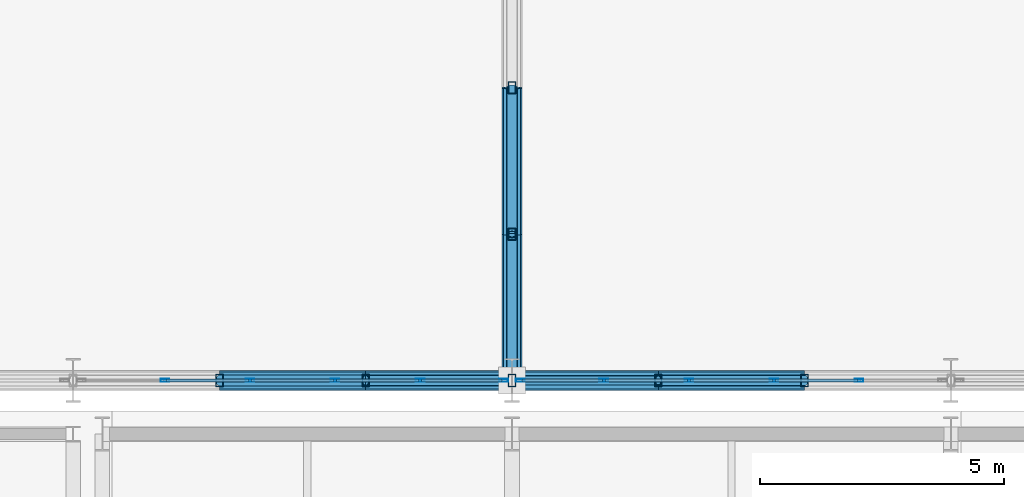
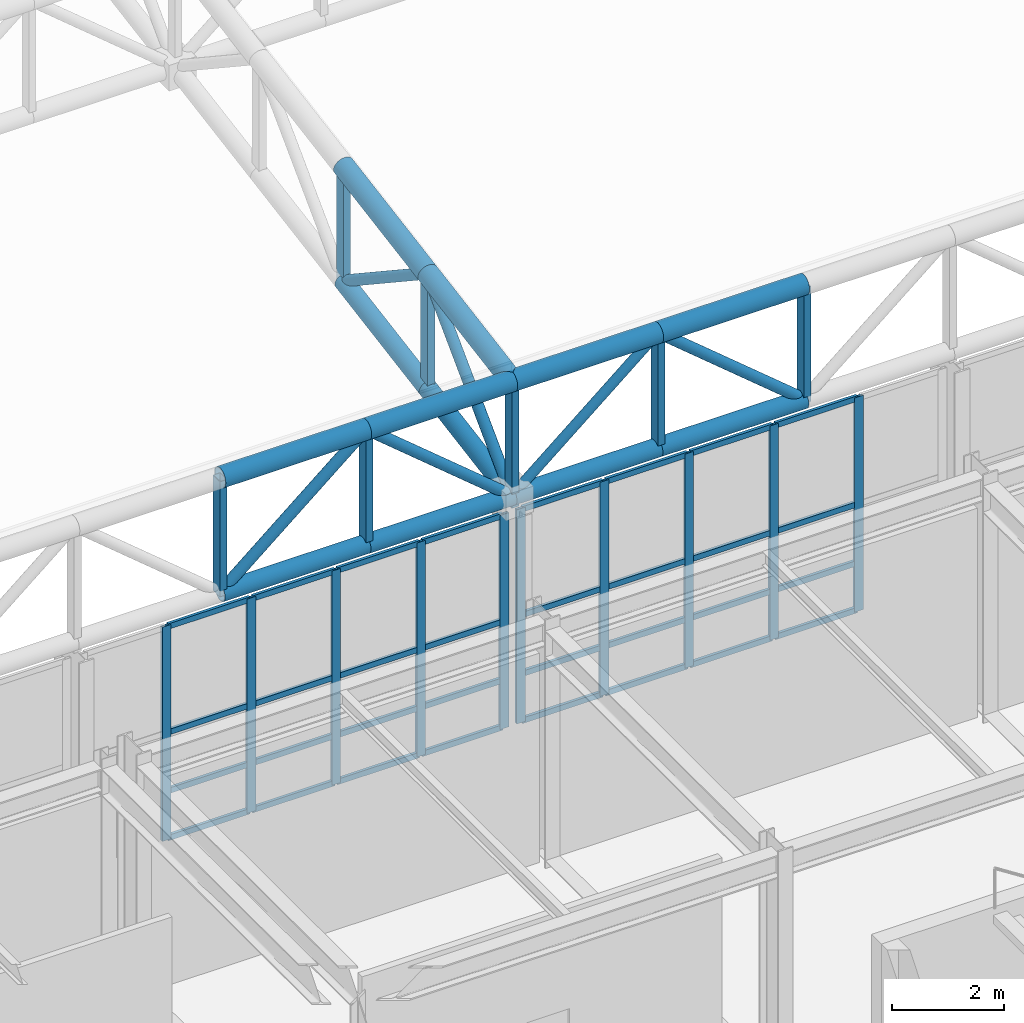
# One storey, part 63 of 239: 67 members, 2 elements without a shape of their own.
"""IFC4 building model written with IfcOpenShell, lengths in metres."""

from ifc_helpers import new_model, si_unit, direction, frame, origin, origin_2d, place, context, subcontext, project, spatial, hollow_rectangle, hollow_circle, extrude, material, material_profile, profile_set, type_object, element, aggregate, save


model = new_model("IFC4")

# Units and contexts
model_context = context("Model", 3, precision=1e-05, world=origin(), true_north=direction((0.0, 1.0)))
body_context = subcontext(model_context, "Body", "Model", "MODEL_VIEW")
ifc_project = project(units=[si_unit("LENGTHUNIT", "METRE"), si_unit("AREAUNIT", "SQUARE_METRE"), si_unit("VOLUMEUNIT", "CUBIC_METRE"), si_unit("PLANEANGLEUNIT", "RADIAN"), si_unit("MASSUNIT", "GRAM", prefix="KILO")], contexts=[model_context])

# Site, building, storey
site_placement = place(None, origin())
site = spatial("IfcSite", under=ifc_project, at=site_placement, CompositionType="ELEMENT")
building_placement = place(site_placement, origin())
building = spatial("IfcBuilding", under=site, at=building_placement, Name="Kaldris Quays Convention Centre", CompositionType="ELEMENT")
storey_placement = place(building_placement, frame((0.0, 0.0, 11.39990234375)))
storey = spatial("IfcBuildingStorey", under=building, at=storey_placement, Name="L02", CompositionType="ELEMENT", Elevation=11.39990234375)

# Curtain wall, members
ifc_material_1 = material(Name="Anodized aluminium AW-6060 and triple glazing", Category="aluminium")
curtain_wall_type = type_object("IfcCurtainWallType", Name="UNITISED CURTAIN WALL CW03", PredefinedType="NOTDEFINED", material=ifc_material_1)
curtain_wall_1_placement = place(storey_placement, origin())
curtain_wall_1 = element("IfcCurtainWall", 1, at=curtain_wall_1_placement, inside=storey, type_object=curtain_wall_type, Name="L02 Unitised Curtain Wall CW03 241", PredefinedType="NOTDEFINED")
ifc_material_2 = material(Name="Anodized aluminium AW-6060", Category="aluminium")
ifc_material_profile_1 = material_profile(ifc_material_2, hollow_rectangle(XDim=0.06005859375, YDim=0.179931640625, WallThickness=0.0048828125, at=origin_2d()), Name="RHS 180x60x5")
ifc_profile_set_1 = profile_set([ifc_material_profile_1], Name="Anodized aluminium AW-6060")
member_type_1 = type_object("IfcMemberType", Name="CURTAIN MULLION CWM2", PredefinedType="MULLION", material=ifc_profile_set_1)
member_1_placement = place(storey_placement, frame((84.884033203125, 56.0, 2.195068359375), z_axis=(0.0, 0.0, 1.0), x_axis=(0.0, 1.0, 0.0)))
member_1 = element("IfcMember", 2, at=member_1_placement, type_object=member_type_1, Name="CW03 mullion 2", PredefinedType="MULLION", context=body_context, shape_type="SweptSolid", body=[
    extrude(hollow_rectangle(XDim=0.06005859375, YDim=0.179931640625, WallThickness=0.0048828125, at=origin_2d()), origin(), (0.0, 0.0, 1.0), 4.655029296875),
])
member_2_placement = place(storey_placement, frame((86.6279296875, 56.0, 2.195068359375), z_axis=(0.0, 0.0, 1.0), x_axis=(0.0, 1.0, 0.0)))
member_2 = element("IfcMember", 3, at=member_2_placement, type_object=member_type_1, Name="CW03 mullion 3", PredefinedType="MULLION", context=body_context, shape_type="SweptSolid", body=[
    extrude(hollow_rectangle(XDim=0.06005859375, YDim=0.179931640625, WallThickness=0.0048828125, at=origin_2d()), origin(), (0.0, 0.0, 1.0), 4.655029296875),
])
member_3_placement = place(storey_placement, frame((88.3720703125, 56.0, 2.195068359375), z_axis=(0.0, 0.0, 1.0), x_axis=(0.0, 1.0, 0.0)))
member_3 = element("IfcMember", 4, at=member_3_placement, type_object=member_type_1, Name="CW03 mullion 4", PredefinedType="MULLION", context=body_context, shape_type="SweptSolid", body=[
    extrude(hollow_rectangle(XDim=0.06005859375, YDim=0.179931640625, WallThickness=0.0048828125, at=origin_2d()), origin(), (0.0, 0.0, 1.0), 4.655029296875),
])
member_4_placement = place(storey_placement, frame((90.115966796875, 56.0, 2.195068359375), z_axis=(0.0, 0.0, 1.0), x_axis=(0.0, 1.0, 0.0)))
member_4 = element("IfcMember", 5, at=member_4_placement, type_object=member_type_1, Name="CW03 mullion 5", PredefinedType="MULLION", context=body_context, shape_type="SweptSolid", body=[
    extrude(hollow_rectangle(XDim=0.06005859375, YDim=0.179931640625, WallThickness=0.0048828125, at=origin_2d()), origin(), (0.0, 0.0, 1.0), 4.655029296875),
])
member_5_placement = place(storey_placement, frame((91.830078125, 56.0, 2.195068359375), z_axis=(0.0, 0.0, 1.0), x_axis=(0.0, 1.0, 0.0)))
member_5 = element("IfcMember", 6, at=member_5_placement, type_object=member_type_1, Name="CW03 mullion 6", PredefinedType="MULLION", context=body_context, shape_type="SweptSolid", body=[
    extrude(hollow_rectangle(XDim=0.06005859375, YDim=0.179931640625, WallThickness=0.0048828125, at=origin_2d()), origin(), (0.0, 0.0, 1.0), 4.655029296875),
])

curtain_wall_2_placement = place(storey_placement, origin())
curtain_wall_2 = element("IfcCurtainWall", 7, at=curtain_wall_2_placement, inside=storey, type_object=curtain_wall_type, Name="L02 Unitised Curtain Wall CW03 243", PredefinedType="NOTDEFINED")
member_6_placement = place(storey_placement, frame((92.169921875, 56.0, 2.195068359375), z_axis=(0.0, 0.0, 1.0), x_axis=(0.0, 1.0, 0.0)))
member_6 = element("IfcMember", 8, at=member_6_placement, type_object=member_type_1, Name="CW03 mullion 1", PredefinedType="MULLION", context=body_context, shape_type="SweptSolid", body=[
    extrude(hollow_rectangle(XDim=0.06005859375, YDim=0.179931640625, WallThickness=0.0048828125, at=origin_2d()), origin(), (0.0, 0.0, 1.0), 4.655029296875),
])
member_7_placement = place(storey_placement, frame((93.884033203125, 56.0, 2.195068359375), z_axis=(0.0, 0.0, 1.0), x_axis=(0.0, 1.0, 0.0)))
member_7 = element("IfcMember", 9, at=member_7_placement, type_object=member_type_1, Name="CW03 mullion 2", PredefinedType="MULLION", context=body_context, shape_type="SweptSolid", body=[
    extrude(hollow_rectangle(XDim=0.06005859375, YDim=0.179931640625, WallThickness=0.0048828125, at=origin_2d()), origin(), (0.0, 0.0, 1.0), 4.655029296875),
])
member_8_placement = place(storey_placement, frame((95.6279296875, 56.0, 2.195068359375), z_axis=(0.0, 0.0, 1.0), x_axis=(0.0, 1.0, 0.0)))
member_8 = element("IfcMember", 10, at=member_8_placement, type_object=member_type_1, Name="CW03 mullion 3", PredefinedType="MULLION", context=body_context, shape_type="SweptSolid", body=[
    extrude(hollow_rectangle(XDim=0.06005859375, YDim=0.179931640625, WallThickness=0.0048828125, at=origin_2d()), origin(), (0.0, 0.0, 1.0), 4.655029296875),
])
member_9_placement = place(storey_placement, frame((97.3720703125, 56.0, 2.195068359375), z_axis=(0.0, 0.0, 1.0), x_axis=(0.0, 1.0, 0.0)))
member_9 = element("IfcMember", 11, at=member_9_placement, type_object=member_type_1, Name="CW03 mullion 4", PredefinedType="MULLION", context=body_context, shape_type="SweptSolid", body=[
    extrude(hollow_rectangle(XDim=0.06005859375, YDim=0.179931640625, WallThickness=0.0048828125, at=origin_2d()), origin(), (0.0, 0.0, 1.0), 4.655029296875),
])
member_10_placement = place(storey_placement, frame((99.115966796875, 56.0, 2.195068359375), z_axis=(0.0, 0.0, 1.0), x_axis=(0.0, 1.0, 0.0)))
member_10 = element("IfcMember", 12, at=member_10_placement, type_object=member_type_1, Name="CW03 mullion 5", PredefinedType="MULLION", context=body_context, shape_type="SweptSolid", body=[
    extrude(hollow_rectangle(XDim=0.06005859375, YDim=0.179931640625, WallThickness=0.0048828125, at=origin_2d()), origin(), (0.0, 0.0, 1.0), 4.655029296875),
])

# Member
ifc_material_profile_2 = material_profile(ifc_material_2, hollow_rectangle(XDim=0.06005859375, YDim=0.1201171875, WallThickness=0.00390625, at=origin_2d()), Name="RHS 120x60x4")
ifc_profile_set_2 = profile_set([ifc_material_profile_2], Name="Anodized aluminium AW-6060")
member_type_2 = type_object("IfcMemberType", Name="CURTAIN TRANSOM CWT1", PredefinedType="USERDEFINED", material=ifc_profile_set_2)
member_11_placement = place(storey_placement, frame((84.9140625, 56.0, 2.22509765625), z_axis=(1.0, 0.0, 0.0), x_axis=(0.0, 1.0, 0.0)))
member_11 = element("IfcMember", 13, at=member_11_placement, type_object=member_type_2, Name="CW03 transom 2.1", ObjectType="TRANSOM", PredefinedType="USERDEFINED", context=body_context, shape_type="SweptSolid", body=[
    extrude(hollow_rectangle(XDim=0.06005859375, YDim=0.1201171875, WallThickness=0.00390625, at=origin_2d()), origin(), (0.0, 0.0, 1.0), 1.683837890625),
])

member_12_placement = place(storey_placement, frame((84.9140625, 56.0, 3.2451171875), z_axis=(1.0, 0.0, 0.0), x_axis=(0.0, 1.0, 0.0)))
member_12 = element("IfcMember", 14, at=member_12_placement, type_object=member_type_2, Name="CW03 transom 2.2", ObjectType="TRANSOM", PredefinedType="USERDEFINED", context=body_context, shape_type="SweptSolid", body=[
    extrude(hollow_rectangle(XDim=0.06005859375, YDim=0.1201171875, WallThickness=0.00390625, at=origin_2d()), origin(), (0.0, 0.0, 1.0), 1.683837890625),
])

member_13_placement = place(storey_placement, frame((84.9140625, 56.0, 4.522216796875), z_axis=(1.0, 0.0, 0.0), x_axis=(0.0, 1.0, 0.0)))
member_13 = element("IfcMember", 15, at=member_13_placement, type_object=member_type_2, Name="CW03 transom 2.3", ObjectType="TRANSOM", PredefinedType="USERDEFINED", context=body_context, shape_type="SweptSolid", body=[
    extrude(hollow_rectangle(XDim=0.06005859375, YDim=0.1201171875, WallThickness=0.00390625, at=origin_2d()), origin(), (0.0, 0.0, 1.0), 1.683837890625),
])

member_14_placement = place(storey_placement, frame((84.9140625, 56.0, 6.820068359375), z_axis=(1.0, 0.0, 0.0), x_axis=(0.0, 1.0, 0.0)))
member_14 = element("IfcMember", 16, at=member_14_placement, type_object=member_type_2, Name="CW03 transom 2.4", ObjectType="TRANSOM", PredefinedType="USERDEFINED", context=body_context, shape_type="SweptSolid", body=[
    extrude(hollow_rectangle(XDim=0.06005859375, YDim=0.1201171875, WallThickness=0.00390625, at=origin_2d()), origin(), (0.0, 0.0, 1.0), 1.683837890625),
])

member_15_placement = place(storey_placement, frame((86.657958984375, 56.0, 2.22509765625), z_axis=(1.0, 0.0, 0.0), x_axis=(0.0, 1.0, 0.0)))
member_15 = element("IfcMember", 17, at=member_15_placement, type_object=member_type_2, Name="CW03 transom 3.1", ObjectType="TRANSOM", PredefinedType="USERDEFINED", context=body_context, shape_type="SweptSolid", body=[
    extrude(hollow_rectangle(XDim=0.06005859375, YDim=0.1201171875, WallThickness=0.00390625, at=origin_2d()), origin(), (0.0, 0.0, 1.0), 1.68408203125),
])

member_16_placement = place(storey_placement, frame((86.657958984375, 56.0, 3.2451171875), z_axis=(1.0, 0.0, 0.0), x_axis=(0.0, 1.0, 0.0)))
member_16 = element("IfcMember", 18, at=member_16_placement, type_object=member_type_2, Name="CW03 transom 3.2", ObjectType="TRANSOM", PredefinedType="USERDEFINED", context=body_context, shape_type="SweptSolid", body=[
    extrude(hollow_rectangle(XDim=0.06005859375, YDim=0.1201171875, WallThickness=0.00390625, at=origin_2d()), origin(), (0.0, 0.0, 1.0), 1.68408203125),
])

member_17_placement = place(storey_placement, frame((86.657958984375, 56.0, 4.522216796875), z_axis=(1.0, 0.0, 0.0), x_axis=(0.0, 1.0, 0.0)))
member_17 = element("IfcMember", 19, at=member_17_placement, type_object=member_type_2, Name="CW03 transom 3.3", ObjectType="TRANSOM", PredefinedType="USERDEFINED", context=body_context, shape_type="SweptSolid", body=[
    extrude(hollow_rectangle(XDim=0.06005859375, YDim=0.1201171875, WallThickness=0.00390625, at=origin_2d()), origin(), (0.0, 0.0, 1.0), 1.68408203125),
])

member_18_placement = place(storey_placement, frame((86.657958984375, 56.0, 6.820068359375), z_axis=(1.0, 0.0, 0.0), x_axis=(0.0, 1.0, 0.0)))
member_18 = element("IfcMember", 20, at=member_18_placement, type_object=member_type_2, Name="CW03 transom 3.4", ObjectType="TRANSOM", PredefinedType="USERDEFINED", context=body_context, shape_type="SweptSolid", body=[
    extrude(hollow_rectangle(XDim=0.06005859375, YDim=0.1201171875, WallThickness=0.00390625, at=origin_2d()), origin(), (0.0, 0.0, 1.0), 1.68408203125),
])

member_19_placement = place(storey_placement, frame((88.402099609375, 56.0, 2.22509765625), z_axis=(1.0, 0.0, 0.0), x_axis=(0.0, 1.0, 0.0)))
member_19 = element("IfcMember", 21, at=member_19_placement, type_object=member_type_2, Name="CW03 transom 4.1", ObjectType="TRANSOM", PredefinedType="USERDEFINED", context=body_context, shape_type="SweptSolid", body=[
    extrude(hollow_rectangle(XDim=0.06005859375, YDim=0.1201171875, WallThickness=0.00390625, at=origin_2d()), origin(), (0.0, 0.0, 1.0), 1.683837890625),
])

member_20_placement = place(storey_placement, frame((88.402099609375, 56.0, 3.2451171875), z_axis=(1.0, 0.0, 0.0), x_axis=(0.0, 1.0, 0.0)))
member_20 = element("IfcMember", 22, at=member_20_placement, type_object=member_type_2, Name="CW03 transom 4.2", ObjectType="TRANSOM", PredefinedType="USERDEFINED", context=body_context, shape_type="SweptSolid", body=[
    extrude(hollow_rectangle(XDim=0.06005859375, YDim=0.1201171875, WallThickness=0.00390625, at=origin_2d()), origin(), (0.0, 0.0, 1.0), 1.683837890625),
])

member_21_placement = place(storey_placement, frame((88.402099609375, 56.0, 4.522216796875), z_axis=(1.0, 0.0, 0.0), x_axis=(0.0, 1.0, 0.0)))
member_21 = element("IfcMember", 23, at=member_21_placement, type_object=member_type_2, Name="CW03 transom 4.3", ObjectType="TRANSOM", PredefinedType="USERDEFINED", context=body_context, shape_type="SweptSolid", body=[
    extrude(hollow_rectangle(XDim=0.06005859375, YDim=0.1201171875, WallThickness=0.00390625, at=origin_2d()), origin(), (0.0, 0.0, 1.0), 1.683837890625),
])

member_22_placement = place(storey_placement, frame((88.402099609375, 56.0, 6.820068359375), z_axis=(1.0, 0.0, 0.0), x_axis=(0.0, 1.0, 0.0)))
member_22 = element("IfcMember", 24, at=member_22_placement, type_object=member_type_2, Name="CW03 transom 4.4", ObjectType="TRANSOM", PredefinedType="USERDEFINED", context=body_context, shape_type="SweptSolid", body=[
    extrude(hollow_rectangle(XDim=0.06005859375, YDim=0.1201171875, WallThickness=0.00390625, at=origin_2d()), origin(), (0.0, 0.0, 1.0), 1.683837890625),
])

member_23_placement = place(storey_placement, frame((90.14599609375, 56.0, 2.22509765625), z_axis=(1.0, 0.0, 0.0), x_axis=(0.0, 1.0, 0.0)))
member_23 = element("IfcMember", 25, at=member_23_placement, type_object=member_type_2, Name="CW03 transom 5.1", ObjectType="TRANSOM", PredefinedType="USERDEFINED", context=body_context, shape_type="SweptSolid", body=[
    extrude(hollow_rectangle(XDim=0.06005859375, YDim=0.1201171875, WallThickness=0.00390625, at=origin_2d()), origin(), (0.0, 0.0, 1.0), 1.654052734375),
])

member_24_placement = place(storey_placement, frame((90.14599609375, 56.0, 3.2451171875), z_axis=(1.0, 0.0, 0.0), x_axis=(0.0, 1.0, 0.0)))
member_24 = element("IfcMember", 26, at=member_24_placement, type_object=member_type_2, Name="CW03 transom 5.2", ObjectType="TRANSOM", PredefinedType="USERDEFINED", context=body_context, shape_type="SweptSolid", body=[
    extrude(hollow_rectangle(XDim=0.06005859375, YDim=0.1201171875, WallThickness=0.00390625, at=origin_2d()), origin(), (0.0, 0.0, 1.0), 1.654052734375),
])

member_25_placement = place(storey_placement, frame((90.14599609375, 56.0, 4.522216796875), z_axis=(1.0, 0.0, 0.0), x_axis=(0.0, 1.0, 0.0)))
member_25 = element("IfcMember", 27, at=member_25_placement, type_object=member_type_2, Name="CW03 transom 5.3", ObjectType="TRANSOM", PredefinedType="USERDEFINED", context=body_context, shape_type="SweptSolid", body=[
    extrude(hollow_rectangle(XDim=0.06005859375, YDim=0.1201171875, WallThickness=0.00390625, at=origin_2d()), origin(), (0.0, 0.0, 1.0), 1.654052734375),
])

member_26_placement = place(storey_placement, frame((90.14599609375, 56.0, 6.820068359375), z_axis=(1.0, 0.0, 0.0), x_axis=(0.0, 1.0, 0.0)))
member_26 = element("IfcMember", 28, at=member_26_placement, type_object=member_type_2, Name="CW03 transom 5.4", ObjectType="TRANSOM", PredefinedType="USERDEFINED", context=body_context, shape_type="SweptSolid", body=[
    extrude(hollow_rectangle(XDim=0.06005859375, YDim=0.1201171875, WallThickness=0.00390625, at=origin_2d()), origin(), (0.0, 0.0, 1.0), 1.654052734375),
])

aggregate(curtain_wall_1, [member_1, member_2, member_3, member_4, member_5, member_11, member_12, member_13, member_14, member_15, member_16, member_17, member_18, member_19, member_20, member_21, member_22, member_23, member_24, member_25, member_26])

member_27_placement = place(storey_placement, frame((92.199951171875, 56.0, 2.22509765625), z_axis=(1.0, 0.0, 0.0), x_axis=(0.0, 1.0, 0.0)))
member_27 = element("IfcMember", 29, at=member_27_placement, type_object=member_type_2, Name="CW03 transom 1.1", ObjectType="TRANSOM", PredefinedType="USERDEFINED", context=body_context, shape_type="SweptSolid", body=[
    extrude(hollow_rectangle(XDim=0.06005859375, YDim=0.1201171875, WallThickness=0.00390625, at=origin_2d()), origin(), (0.0, 0.0, 1.0), 1.654052734375),
])

member_28_placement = place(storey_placement, frame((92.199951171875, 56.0, 3.2451171875), z_axis=(1.0, 0.0, 0.0), x_axis=(0.0, 1.0, 0.0)))
member_28 = element("IfcMember", 30, at=member_28_placement, type_object=member_type_2, Name="CW03 transom 1.2", ObjectType="TRANSOM", PredefinedType="USERDEFINED", context=body_context, shape_type="SweptSolid", body=[
    extrude(hollow_rectangle(XDim=0.06005859375, YDim=0.1201171875, WallThickness=0.00390625, at=origin_2d()), origin(), (0.0, 0.0, 1.0), 1.654052734375),
])

member_29_placement = place(storey_placement, frame((92.199951171875, 56.0, 4.522216796875), z_axis=(1.0, 0.0, 0.0), x_axis=(0.0, 1.0, 0.0)))
member_29 = element("IfcMember", 31, at=member_29_placement, type_object=member_type_2, Name="CW03 transom 1.3", ObjectType="TRANSOM", PredefinedType="USERDEFINED", context=body_context, shape_type="SweptSolid", body=[
    extrude(hollow_rectangle(XDim=0.06005859375, YDim=0.1201171875, WallThickness=0.00390625, at=origin_2d()), origin(), (0.0, 0.0, 1.0), 1.654052734375),
])

member_30_placement = place(storey_placement, frame((92.199951171875, 56.0, 6.820068359375), z_axis=(1.0, 0.0, 0.0), x_axis=(0.0, 1.0, 0.0)))
member_30 = element("IfcMember", 32, at=member_30_placement, type_object=member_type_2, Name="CW03 transom 1.4", ObjectType="TRANSOM", PredefinedType="USERDEFINED", context=body_context, shape_type="SweptSolid", body=[
    extrude(hollow_rectangle(XDim=0.06005859375, YDim=0.1201171875, WallThickness=0.00390625, at=origin_2d()), origin(), (0.0, 0.0, 1.0), 1.654052734375),
])

member_31_placement = place(storey_placement, frame((93.9140625, 56.0, 2.22509765625), z_axis=(1.0, 0.0, 0.0), x_axis=(0.0, 1.0, 0.0)))
member_31 = element("IfcMember", 33, at=member_31_placement, type_object=member_type_2, Name="CW03 transom 2.1", ObjectType="TRANSOM", PredefinedType="USERDEFINED", context=body_context, shape_type="SweptSolid", body=[
    extrude(hollow_rectangle(XDim=0.06005859375, YDim=0.1201171875, WallThickness=0.00390625, at=origin_2d()), origin(), (0.0, 0.0, 1.0), 1.683837890625),
])

member_32_placement = place(storey_placement, frame((93.9140625, 56.0, 3.2451171875), z_axis=(1.0, 0.0, 0.0), x_axis=(0.0, 1.0, 0.0)))
member_32 = element("IfcMember", 34, at=member_32_placement, type_object=member_type_2, Name="CW03 transom 2.2", ObjectType="TRANSOM", PredefinedType="USERDEFINED", context=body_context, shape_type="SweptSolid", body=[
    extrude(hollow_rectangle(XDim=0.06005859375, YDim=0.1201171875, WallThickness=0.00390625, at=origin_2d()), origin(), (0.0, 0.0, 1.0), 1.683837890625),
])

member_33_placement = place(storey_placement, frame((93.9140625, 56.0, 4.522216796875), z_axis=(1.0, 0.0, 0.0), x_axis=(0.0, 1.0, 0.0)))
member_33 = element("IfcMember", 35, at=member_33_placement, type_object=member_type_2, Name="CW03 transom 2.3", ObjectType="TRANSOM", PredefinedType="USERDEFINED", context=body_context, shape_type="SweptSolid", body=[
    extrude(hollow_rectangle(XDim=0.06005859375, YDim=0.1201171875, WallThickness=0.00390625, at=origin_2d()), origin(), (0.0, 0.0, 1.0), 1.683837890625),
])

member_34_placement = place(storey_placement, frame((93.9140625, 56.0, 6.820068359375), z_axis=(1.0, 0.0, 0.0), x_axis=(0.0, 1.0, 0.0)))
member_34 = element("IfcMember", 36, at=member_34_placement, type_object=member_type_2, Name="CW03 transom 2.4", ObjectType="TRANSOM", PredefinedType="USERDEFINED", context=body_context, shape_type="SweptSolid", body=[
    extrude(hollow_rectangle(XDim=0.06005859375, YDim=0.1201171875, WallThickness=0.00390625, at=origin_2d()), origin(), (0.0, 0.0, 1.0), 1.683837890625),
])

member_35_placement = place(storey_placement, frame((95.657958984375, 56.0, 2.22509765625), z_axis=(1.0, 0.0, 0.0), x_axis=(0.0, 1.0, 0.0)))
member_35 = element("IfcMember", 37, at=member_35_placement, type_object=member_type_2, Name="CW03 transom 3.1", ObjectType="TRANSOM", PredefinedType="USERDEFINED", context=body_context, shape_type="SweptSolid", body=[
    extrude(hollow_rectangle(XDim=0.06005859375, YDim=0.1201171875, WallThickness=0.00390625, at=origin_2d()), origin(), (0.0, 0.0, 1.0), 1.68408203125),
])

member_36_placement = place(storey_placement, frame((95.657958984375, 56.0, 3.2451171875), z_axis=(1.0, 0.0, 0.0), x_axis=(0.0, 1.0, 0.0)))
member_36 = element("IfcMember", 38, at=member_36_placement, type_object=member_type_2, Name="CW03 transom 3.2", ObjectType="TRANSOM", PredefinedType="USERDEFINED", context=body_context, shape_type="SweptSolid", body=[
    extrude(hollow_rectangle(XDim=0.06005859375, YDim=0.1201171875, WallThickness=0.00390625, at=origin_2d()), origin(), (0.0, 0.0, 1.0), 1.68408203125),
])

member_37_placement = place(storey_placement, frame((95.657958984375, 56.0, 4.522216796875), z_axis=(1.0, 0.0, 0.0), x_axis=(0.0, 1.0, 0.0)))
member_37 = element("IfcMember", 39, at=member_37_placement, type_object=member_type_2, Name="CW03 transom 3.3", ObjectType="TRANSOM", PredefinedType="USERDEFINED", context=body_context, shape_type="SweptSolid", body=[
    extrude(hollow_rectangle(XDim=0.06005859375, YDim=0.1201171875, WallThickness=0.00390625, at=origin_2d()), origin(), (0.0, 0.0, 1.0), 1.68408203125),
])

member_38_placement = place(storey_placement, frame((95.657958984375, 56.0, 6.820068359375), z_axis=(1.0, 0.0, 0.0), x_axis=(0.0, 1.0, 0.0)))
member_38 = element("IfcMember", 40, at=member_38_placement, type_object=member_type_2, Name="CW03 transom 3.4", ObjectType="TRANSOM", PredefinedType="USERDEFINED", context=body_context, shape_type="SweptSolid", body=[
    extrude(hollow_rectangle(XDim=0.06005859375, YDim=0.1201171875, WallThickness=0.00390625, at=origin_2d()), origin(), (0.0, 0.0, 1.0), 1.68408203125),
])

member_39_placement = place(storey_placement, frame((97.402099609375, 56.0, 2.22509765625), z_axis=(1.0, 0.0, 0.0), x_axis=(0.0, 1.0, 0.0)))
member_39 = element("IfcMember", 41, at=member_39_placement, type_object=member_type_2, Name="CW03 transom 4.1", ObjectType="TRANSOM", PredefinedType="USERDEFINED", context=body_context, shape_type="SweptSolid", body=[
    extrude(hollow_rectangle(XDim=0.06005859375, YDim=0.1201171875, WallThickness=0.00390625, at=origin_2d()), origin(), (0.0, 0.0, 1.0), 1.683837890625),
])

member_40_placement = place(storey_placement, frame((97.402099609375, 56.0, 3.2451171875), z_axis=(1.0, 0.0, 0.0), x_axis=(0.0, 1.0, 0.0)))
member_40 = element("IfcMember", 42, at=member_40_placement, type_object=member_type_2, Name="CW03 transom 4.2", ObjectType="TRANSOM", PredefinedType="USERDEFINED", context=body_context, shape_type="SweptSolid", body=[
    extrude(hollow_rectangle(XDim=0.06005859375, YDim=0.1201171875, WallThickness=0.00390625, at=origin_2d()), origin(), (0.0, 0.0, 1.0), 1.683837890625),
])

member_41_placement = place(storey_placement, frame((97.402099609375, 56.0, 4.522216796875), z_axis=(1.0, 0.0, 0.0), x_axis=(0.0, 1.0, 0.0)))
member_41 = element("IfcMember", 43, at=member_41_placement, type_object=member_type_2, Name="CW03 transom 4.3", ObjectType="TRANSOM", PredefinedType="USERDEFINED", context=body_context, shape_type="SweptSolid", body=[
    extrude(hollow_rectangle(XDim=0.06005859375, YDim=0.1201171875, WallThickness=0.00390625, at=origin_2d()), origin(), (0.0, 0.0, 1.0), 1.683837890625),
])

member_42_placement = place(storey_placement, frame((97.402099609375, 56.0, 6.820068359375), z_axis=(1.0, 0.0, 0.0), x_axis=(0.0, 1.0, 0.0)))
member_42 = element("IfcMember", 44, at=member_42_placement, type_object=member_type_2, Name="CW03 transom 4.4", ObjectType="TRANSOM", PredefinedType="USERDEFINED", context=body_context, shape_type="SweptSolid", body=[
    extrude(hollow_rectangle(XDim=0.06005859375, YDim=0.1201171875, WallThickness=0.00390625, at=origin_2d()), origin(), (0.0, 0.0, 1.0), 1.683837890625),
])

aggregate(curtain_wall_2, [member_6, member_7, member_8, member_9, member_10, member_27, member_28, member_29, member_30, member_31, member_32, member_33, member_34, member_35, member_36, member_37, member_38, member_39, member_40, member_41, member_42])

# Members
ifc_material_3 = material(Name="Steel S355J2H", Category="steel")
ifc_material_profile_3 = material_profile(ifc_material_3, hollow_circle(Radius=0.203125, WallThickness=0.01611328125, at=origin_2d()), Name="CHS 406.4x16")
ifc_profile_set_3 = profile_set([ifc_material_profile_3], Name="Steel S355J2H")
member_type_3 = type_object("IfcMemberType", Name="STRUCTURAL MEMBER SC01", PredefinedType="CHORD", material=ifc_profile_set_3)
for number, where, z_axis, x_axis, name in (
    (45, (86.0, 56.0, 9.671875), (1.0, 0.0, 0.0), (0.0, 1.0, 0.0), "SF-V1 Top Chord X 23"),
    (46, (89.0, 56.0, 9.671875), (1.0, 0.0, 0.0), (0.0, 1.0, 0.0), "SF-V1 Top Chord X 24"),
    (47, (92.0, 56.0, 9.671875), (1.0, 0.0, 0.0), (0.0, 1.0, 0.0), "SF-V1 Top Chord X 25"),
    (48, (95.0, 56.0, 9.671875), (1.0, 0.0, 0.0), (0.0, 1.0, 0.0), "SF-V1 Top Chord X 26"),
):
    element("IfcMember", number, at=place(storey_placement, frame(where, z_axis=z_axis, x_axis=x_axis)), inside=storey, type_object=member_type_3, Name=name, PredefinedType="CHORD", context=body_context, shape_type="SweptSolid", body=[
        extrude(hollow_circle(Radius=0.203125, WallThickness=0.01611328125, at=origin_2d()), origin(), (0.0, 0.0, 1.0), 3.0),
    ])
for number, where, z_axis, x_axis, name in (
    (49, (92.0, 56.0, 9.671875), (0.0, 0.985615766076, 0.169001661712), (-1.0, 0.0, 0.0), "SF-V1 Top Chord Y 449"),
    (50, (92.0, 59.0, 10.186279296875), (0.0, 0.98562912375, 0.168923741424), (-1.0, 0.0, 0.0), "SF-V1 Top Chord Y 450"),
):
    element("IfcMember", number, at=place(storey_placement, frame(where, z_axis=z_axis, x_axis=x_axis)), inside=storey, type_object=member_type_3, Name=name, PredefinedType="CHORD", context=body_context, shape_type="SweptSolid", body=[
        extrude(hollow_circle(Radius=0.203125, WallThickness=0.01611328125, at=origin_2d()), origin(), (0.0, 0.0, 1.0), 3.043701171875),
    ])
ifc_material_profile_4 = material_profile(ifc_material_3, hollow_circle(Radius=0.177734375, WallThickness=0.01611328125, at=origin_2d()), Name="CHS 355.6x16")
ifc_profile_set_4 = profile_set([ifc_material_profile_4], Name="Steel S355J2H")
member_type_4 = type_object("IfcMemberType", Name="STRUCTURAL MEMBER SC02", PredefinedType="CHORD", material=ifc_profile_set_4)
for number, where, z_axis, x_axis, name in (
    (51, (86.0, 56.0, 7.171875), (1.0, 0.0, 0.0), (0.0, 1.0, 0.0), "SF-V1 Bottom Chord X 23"),
    (52, (89.0, 56.0, 7.171875), (1.0, 0.0, 0.0), (0.0, 1.0, 0.0), "SF-V1 Bottom Chord X 24"),
    (53, (92.0, 56.0, 7.171875), (1.0, 0.0, 0.0), (0.0, 1.0, 0.0), "SF-V1 Bottom Chord X 25"),
    (54, (95.0, 56.0, 7.171875), (1.0, 0.0, 0.0), (0.0, 1.0, 0.0), "SF-V1 Bottom Chord X 26"),
):
    element("IfcMember", number, at=place(storey_placement, frame(where, z_axis=z_axis, x_axis=x_axis)), inside=storey, type_object=member_type_4, Name=name, PredefinedType="CHORD", context=body_context, shape_type="SweptSolid", body=[
        extrude(hollow_circle(Radius=0.177734375, WallThickness=0.01611328125, at=origin_2d()), origin(), (0.0, 0.0, 1.0), 3.0),
    ])
for number, where, z_axis, x_axis, name in (
    (55, (92.0, 56.0, 7.171875), (0.0, 0.985615766076, 0.169001661712), (-1.0, 0.0, 0.0), "SF-V1 Bottom Chord Y 449"),
    (56, (92.0, 59.0, 7.686279296875), (0.0, 0.98562912375, 0.168923741424), (-1.0, 0.0, 0.0), "SF-V1 Bottom Chord Y 450"),
):
    element("IfcMember", number, at=place(storey_placement, frame(where, z_axis=z_axis, x_axis=x_axis)), inside=storey, type_object=member_type_4, Name=name, PredefinedType="CHORD", context=body_context, shape_type="SweptSolid", body=[
        extrude(hollow_circle(Radius=0.177734375, WallThickness=0.01611328125, at=origin_2d()), origin(), (0.0, 0.0, 1.0), 3.043701171875),
    ])
ifc_material_profile_5 = material_profile(ifc_material_3, hollow_circle(Radius=0.109619140625, WallThickness=0.010009765625, at=origin_2d()), Name="CHS 219.1x10")
ifc_profile_set_5 = profile_set([ifc_material_profile_5], Name="Steel S355J2H")
member_type_5 = type_object("IfcMemberType", Name="STRUCTURAL MEMBER SWB1", PredefinedType="BRACE", material=ifc_profile_set_5)
for number, where, z_axis, x_axis, name in (
    (57, (86.0, 56.0, 7.171875), (0.768221279597, 0.0, 0.640184399664), (0.0, 1.0, 0.0), "SF-V1 Web Diagonal X 23"),
    (58, (92.0, 56.0, 7.171875), (-0.768221279597, 0.0, 0.640184399664), (0.0, -1.0, 0.0), "SF-V1 Web Diagonal X 24"),
    (59, (98.0, 56.0, 7.171875), (-0.768221279597, 0.0, 0.640184399664), (0.0, -1.0, 0.0), "SF-V1 Web Diagonal X 26"),
):
    element("IfcMember", number, at=place(storey_placement, frame(where, z_axis=z_axis, x_axis=x_axis)), inside=storey, type_object=member_type_5, Name=name, PredefinedType="BRACE", context=body_context, shape_type="SweptSolid", body=[
        extrude(hollow_circle(Radius=0.109619140625, WallThickness=0.010009765625, at=origin_2d()), origin(), (0.0, 0.0, 1.0), 3.905029296875),
    ])
member_43_placement = place(storey_placement, frame((92.0, 56.0, 7.171875), z_axis=(0.0, 0.705411261057, 0.708798245465), x_axis=(-1.0, 0.0, 0.0)))
element("IfcMember", 60, at=member_43_placement, inside=storey, type_object=member_type_5, Name="SF-V1 Web Diagonal Y 449", PredefinedType="BRACE", context=body_context, shape_type="SweptSolid", body=[
    extrude(hollow_circle(Radius=0.109619140625, WallThickness=0.010009765625, at=origin_2d()), origin(), (0.0, 0.0, 1.0), 4.2529296875),
])
member_44_placement = place(storey_placement, frame((92.0, 62.0, 8.200439453125), z_axis=(0.0, -0.833862389808, 0.551972385962), x_axis=(1.0, 0.0, 0.0)))
element("IfcMember", 61, at=member_44_placement, inside=storey, type_object=member_type_5, Name="SF-V1 Web Diagonal Y 450", PredefinedType="BRACE", context=body_context, shape_type="SweptSolid", body=[
    extrude(hollow_circle(Radius=0.109619140625, WallThickness=0.010009765625, at=origin_2d()), origin(), (0.0, 0.0, 1.0), 3.59765625),
])
ifc_material_profile_6 = material_profile(ifc_material_3, hollow_circle(Radius=0.096923828125, WallThickness=0.008056640625, at=origin_2d()), Name="CHS 193.7x8")
ifc_profile_set_6 = profile_set([ifc_material_profile_6], Name="Steel S355J2H")
member_type_6 = type_object("IfcMemberType", Name="STRUCTURAL MEMBER SWB3", PredefinedType="BRACE", material=ifc_profile_set_6)
member_45_placement = place(storey_placement, frame((92.0, 56.0, 7.171875), z_axis=(0.768221279597, 0.0, 0.640184399664), x_axis=(0.0, 1.0, 0.0)))
element("IfcMember", 62, at=member_45_placement, inside=storey, type_object=member_type_6, Name="SF-V1 Web Diagonal X 25", PredefinedType="BRACE", context=body_context, shape_type="SweptSolid", body=[
    extrude(hollow_circle(Radius=0.096923828125, WallThickness=0.008056640625, at=origin_2d()), origin(), (0.0, 0.0, 1.0), 3.905029296875),
])
ifc_material_profile_7 = material_profile(ifc_material_3, hollow_rectangle(XDim=0.14990234375, YDim=0.25, WallThickness=0.010009765625, at=origin_2d()), Name="RHS 250x150x10")
ifc_profile_set_7 = profile_set([ifc_material_profile_7], Name="Steel S355J2H")
member_type_7 = type_object("IfcMemberType", Name="STRUCTURAL MEMBER TTV1", PredefinedType="POST", material=ifc_profile_set_7)
for number, where, z_axis, x_axis, name in (
    (63, (86.0, 56.0, 7.171875), (0.0, 0.0, 1.0), (1.0, 0.0, 0.0), "SF-V1 Space-Frame Post 261"),
    (64, (89.0, 56.0, 7.171875), (0.0, 0.0, 1.0), (1.0, 0.0, 0.0), "SF-V1 Space-Frame Post 269"),
):
    element("IfcMember", number, at=place(storey_placement, frame(where, z_axis=z_axis, x_axis=x_axis)), inside=storey, type_object=member_type_7, Name=name, PredefinedType="POST", context=body_context, shape_type="SweptSolid", body=[
        extrude(hollow_rectangle(XDim=0.14990234375, YDim=0.25, WallThickness=0.010009765625, at=origin_2d()), origin(), (0.0, 0.0, 1.0), 2.5),
    ])
member_46_placement = place(storey_placement, frame((92.0, 56.0, 6.994140625), z_axis=(0.0, 0.0, 1.0), x_axis=(1.0, 0.0, 0.0)))
element("IfcMember", 65, at=member_46_placement, inside=storey, type_object=member_type_7, Name="SF-V1 Space-Frame Post 277", PredefinedType="POST", context=body_context, shape_type="SweptSolid", body=[
    extrude(hollow_rectangle(XDim=0.14990234375, YDim=0.25, WallThickness=0.010009765625, at=origin_2d()), origin(), (0.0, 0.0, 1.0), 2.677734375),
])
for number, where, z_axis, x_axis, name in (
    (66, (92.0, 59.0, 7.686279296875), (0.0, 0.0, 1.0), (1.0, 0.0, 0.0), "SF-V1 Space-Frame Post 278"),
    (67, (92.0, 62.0, 8.200439453125), (0.0, 0.0, 1.0), (1.0, 0.0, 0.0), "SF-V1 Space-Frame Post 279"),
    (68, (95.0, 56.0, 7.171875), (0.0, 0.0, 1.0), (1.0, 0.0, 0.0), "SF-V1 Space-Frame Post 306"),
    (69, (98.0, 56.0, 7.171875), (0.0, 0.0, 1.0), (1.0, 0.0, 0.0), "SF-V1 Space-Frame Post 314"),
):
    element("IfcMember", number, at=place(storey_placement, frame(where, z_axis=z_axis, x_axis=x_axis)), inside=storey, type_object=member_type_7, Name=name, PredefinedType="POST", context=body_context, shape_type="SweptSolid", body=[
        extrude(hollow_rectangle(XDim=0.14990234375, YDim=0.25, WallThickness=0.010009765625, at=origin_2d()), origin(), (0.0, 0.0, 1.0), 2.5),
    ])

save(model, "model.ifc")
